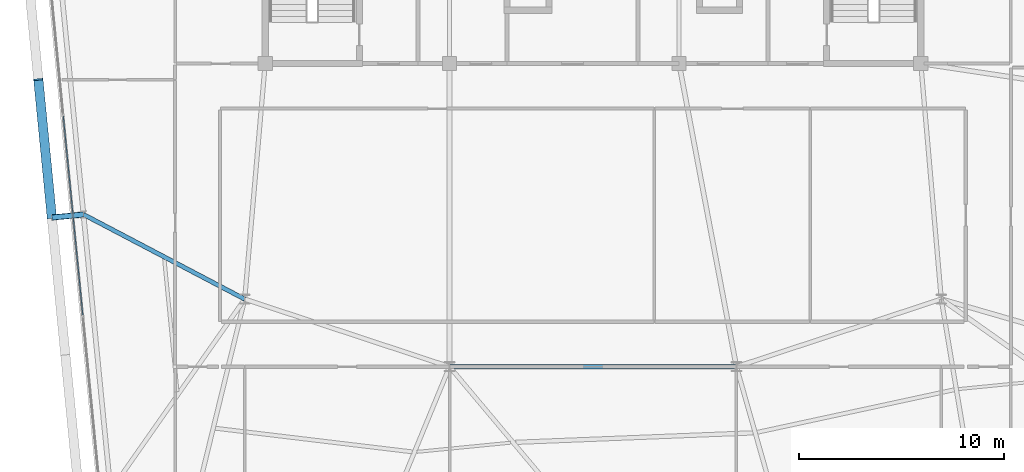
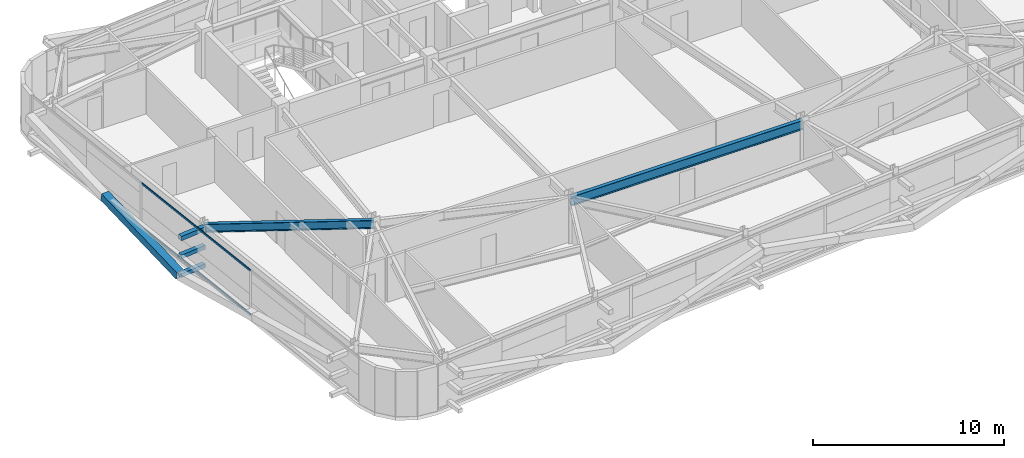
# One storey, part 12 of 47: 6 members, 2 beams, 1 element without a shape of its own.
"""IFC4 building model written with IfcOpenShell, lengths in metres."""

from ifc_helpers import new_model, si_unit, direction, frame, origin, origin_2d, place, context, subcontext, project, spatial, hollow_rectangle, i_section, extrude, source, transform, mapped, material, layer, layer_set, material_profile, profile_set, type_object, element, aggregate, save


model = new_model("IFC4")

# Units and contexts
model_context = context("Model", 3, precision=1e-05, world=origin(), true_north=direction((0.0, 1.0)))
body_context = subcontext(model_context, "Body", "Model", "MODEL_VIEW")
ifc_project = project(units=[si_unit("LENGTHUNIT", "METRE"), si_unit("AREAUNIT", "SQUARE_METRE"), si_unit("VOLUMEUNIT", "CUBIC_METRE"), si_unit("PLANEANGLEUNIT", "RADIAN"), si_unit("MASSUNIT", "GRAM", prefix="KILO")], contexts=[model_context])

# Site, building, storey
site_placement = place(None, origin())
site = spatial("IfcSite", under=ifc_project, at=site_placement, CompositionType="ELEMENT")
building_placement = place(site_placement, origin())
building = spatial("IfcBuilding", under=site, at=building_placement, Name="Taldren Reach Tower", CompositionType="ELEMENT")
storey_placement = place(building_placement, frame((0.0, 0.0, 109.199951171875)))
storey = spatial("IfcBuildingStorey", under=building, at=storey_placement, Name="L33", CompositionType="ELEMENT", Elevation=109.199951171875)

# Beams
ifc_material_1 = material(Name="Steel Gr 350 (350PLUS)", Category="steel")
ifc_material_profile_1 = material_profile(ifc_material_1, i_section(OverallWidth=0.22802734375, OverallDepth=0.60205078125, WebThickness=0.010498046875, FlangeThickness=0.014892578125, at=origin_2d()), Name="610UB101")
ifc_profile_set_1 = profile_set([ifc_material_profile_1], Name="Steel Gr 350 (350PLUS)")
beam_type_1 = type_object("IfcBeamType", Name="BM-UB610B", PredefinedType="BEAM", material=ifc_profile_set_1)
shared_shape_1 = source(origin(), body_context, "Body", "SweptSolid", [
    extrude(i_section(OverallWidth=0.22802734375, OverallDepth=0.60205078125, WebThickness=0.010498046875, FlangeThickness=0.014892578125, at=origin_2d()), origin(), (0.0, 0.0, 1.0), 14.0),
])
beam_1_placement = place(storey_placement, frame((28.0, 9.199951171875, 2.569091796875), z_axis=(1.0, 0.0, 0.0), x_axis=(0.0, 1.0, 0.0)))
element("IfcBeam", 1, at=beam_1_placement, inside=storey, type_object=beam_type_1, Name="Core-spine girder L33-SP11", PredefinedType="BEAM", context=body_context, shape_type="MappedRepresentation", body=[
    mapped(shared_shape_1, transform((0.0, 0.0, 0.0), scale=1.0)),
])
ifc_material_profile_2 = material_profile(ifc_material_1, i_section(OverallWidth=0.208984375, OverallDepth=0.532958984375, WebThickness=0.01025390625, FlangeThickness=0.015625, at=origin_2d()), Name="530UB92.4")
ifc_profile_set_2 = profile_set([ifc_material_profile_2], Name="Steel Gr 350 (350PLUS)")
beam_type_2 = type_object("IfcBeamType", Name="BM-UB530A", PredefinedType="BEAM", material=ifc_profile_set_2)
shared_shape_2 = source(origin(), body_context, "Body", "SweptSolid", [
    extrude(i_section(OverallWidth=0.208984375, OverallDepth=0.532958984375, WebThickness=0.01025390625, FlangeThickness=0.015625, at=origin_2d()), origin(), (0.0, 0.0, 1.0), 8.8876953125),
])
beam_2_placement = place(storey_placement, frame((18.0, 12.5, 2.603515625), z_axis=(-0.885412881876, 0.464805366371, 0.0), x_axis=(-0.464805366371, -0.885412881876, 0.0)))
element("IfcBeam", 2, at=beam_2_placement, inside=storey, type_object=beam_type_2, Name="Primary floor girder B2-W2 L33", PredefinedType="BEAM", context=body_context, shape_type="MappedRepresentation", body=[
    mapped(shared_shape_2, transform((0.0, 0.0, 0.0), scale=1.0)),
])

# Members
ifc_material_2 = material(Name="Steel Gr 450 (C450L0)", Category="steel")
ifc_material_profile_3 = material_profile(ifc_material_2, hollow_rectangle(XDim=0.27490234375, YDim=0.27490234375, WallThickness=0.00927734375, at=origin_2d()), Name="275x275x9.3SHS")
ifc_profile_set_3 = profile_set([ifc_material_profile_3], Name="Steel Gr 450 (C450L0)")
member_type_1 = type_object("IfcMemberType", Name="MB-TIE273", PredefinedType="STRUT", material=ifc_profile_set_3)
shared_shape_3 = source(origin(), body_context, "Body", "SweptSolid", [
    extrude(hollow_rectangle(XDim=0.27490234375, YDim=0.27490234375, WallThickness=0.00927734375, at=origin_2d()), origin(), (0.0, 0.0, 1.0), 1.550048828125),
])
member_1_placement = place(storey_placement, frame((10.130615234375, 16.631103515625, 2.590087890625), z_axis=(-0.9952210252, -0.097647892962, 0.0), x_axis=(0.097647892962, -0.9952210252, 0.0)))
element("IfcMember", 3, at=member_1_placement, inside=storey, type_object=member_type_1, Name="Exoskeleton diaphragm tie strut B2-W2 L33", PredefinedType="STRUT", context=body_context, shape_type="MappedRepresentation", body=[
    mapped(shared_shape_3, transform((0.0, 0.0, 0.0), scale=1.0)),
])
ifc_material_3 = material(Name="Steel Gr 350 (C350L0)", Category="steel")
ifc_material_profile_4 = material_profile(ifc_material_3, hollow_rectangle(XDim=0.25, YDim=0.25, WallThickness=0.010009765625, at=origin_2d()), Name="250x250x10.0SHS")
ifc_profile_set_4 = profile_set([ifc_material_profile_4], Name="Steel Gr 350 (C350L0)")
member_type_2 = type_object("IfcMemberType", Name="MB-POST250", PredefinedType="POST", material=ifc_profile_set_4)
shared_shape_4 = source(origin(), body_context, "Body", "SweptSolid", [
    extrude(hollow_rectangle(XDim=0.25, YDim=0.25, WallThickness=0.010009765625, at=origin_2d()), origin(), (0.0, 0.0, 1.0), 1.550048828125),
])
for number, where, z_axis, x_axis, name in (
    (4, (10.130615234375, 16.631103515625, 0.219970703125), (-0.9952210252, -0.097647892962, 0.0), (0.097647892962, -0.9952210252, 0.0), "Exoskeleton base diaphragm tie strut B2-W2 L33"),
    (5, (10.130615234375, 16.631103515625, 1.405029296875), (-0.9952210252, -0.097647892962, 0.0), (0.097647892962, -0.9952210252, 0.0), "Exoskeleton mid-tier diaphragm tie B2-W2 L33"),
):
    element("IfcMember", number, at=place(storey_placement, frame(where, z_axis=z_axis, x_axis=x_axis)), inside=storey, type_object=member_type_2, Name=name, PredefinedType="POST", context=body_context, shape_type="MappedRepresentation", body=[
        mapped(shared_shape_4, transform((0.0, 0.0, 0.0), scale=1.0)),
    ])
ifc_material_profile_5 = material_profile(ifc_material_2, hollow_rectangle(XDim=0.4599609375, YDim=0.4599609375, WallThickness=0.01611328125, at=origin_2d()), Name="460x460x16.0SHS")
ifc_profile_set_5 = profile_set([ifc_material_profile_5], Name="Steel Gr 450 (C450L0)")
member_type_3 = type_object("IfcMemberType", Name="MB-EXO457", PredefinedType="BRACE", material=ifc_profile_set_5)
shared_shape_5 = source(origin(), body_context, "Body", "SweptSolid", [
    extrude(hollow_rectangle(XDim=0.4599609375, YDim=0.4599609375, WallThickness=0.01611328125, at=origin_2d()), origin(), (0.0, 0.0, 1.0), 6.8779296875),
])
member_2_placement = place(storey_placement, frame((8.587890625, 16.479736328125, 0.219970703125), z_axis=(-0.096124602974, 0.980343162824, 0.172300156143), x_axis=(-0.995227290009, -0.097584021339, 0.0)))
element("IfcMember", 6, at=member_2_placement, inside=storey, type_object=member_type_3, Name="Exoskeleton Diagrid Brace B2-W2 L33", PredefinedType="BRACE", context=body_context, shape_type="MappedRepresentation", body=[
    mapped(shared_shape_5, transform((0.0, 0.0, 0.0), scale=1.0)),
])

# Curtain wall, members
ifc_material_4 = material(Name="Aluminium and Low-E Glass Unitised System", Category="aluminium")
ifc_layer = layer(ifc_material_4, 0.159912109375)
ifc_layer_set = layer_set([ifc_layer], Name="Aluminium and Low-E Glass Unitised System")
curtain_wall_type = type_object("IfcCurtainWallType", Name="CW-SYS-3", PredefinedType="NOTDEFINED", material=ifc_layer_set)
curtain_wall_placement = place(storey_placement, origin())
curtain_wall = element("IfcCurtainWall", 7, at=curtain_wall_placement, inside=storey, type_object=curtain_wall_type, Name="Unitised curtain wall CW-L33-W", PredefinedType="NOTDEFINED")
ifc_material_5 = material(Name="Anodised Aluminium 6063-T6", Category="aluminium")
ifc_material_profile_6 = material_profile(ifc_material_5, hollow_rectangle(XDim=0.054931640625, YDim=0.1201171875, WallThickness=0.0029296875, at=origin_2d()), Name="ALU-120x55x3RHS")
ifc_profile_set_6 = profile_set([ifc_material_profile_6], Name="Anodised Aluminium 6063-T6")
member_type_4 = type_object("IfcMemberType", Name="CW-TRN-135", PredefinedType="USERDEFINED", material=ifc_profile_set_6)
shared_shape_6 = source(origin(), body_context, "Body", "SweptSolid", [
    extrude(hollow_rectangle(XDim=0.054931640625, YDim=0.1201171875, WallThickness=0.0029296875, at=origin_2d()), origin(), (0.0, 0.0, 1.0), 9.768310546875),
])
member_3_placement = place(storey_placement, frame((9.146240234375, 21.442138671875, 0.027587890625), z_axis=(0.097598120756, -0.995225907432, 0.0), x_axis=(0.995225907432, 0.097598120756, 0.0)))
member_3 = element("IfcMember", 8, at=member_3_placement, type_object=member_type_4, Name="CW-3 transom 2.1", ObjectType="TRANSOM", PredefinedType="USERDEFINED", context=body_context, shape_type="MappedRepresentation", body=[
    mapped(shared_shape_6, transform((0.0, 0.0, 0.0), scale=1.0)),
])
member_4_placement = place(storey_placement, frame((9.146240234375, 21.442138671875, 2.842529296875), z_axis=(0.097598120756, -0.995225907432, 0.0), x_axis=(0.995225907432, 0.097598120756, 0.0)))
member_4 = element("IfcMember", 9, at=member_4_placement, type_object=member_type_4, Name="CW-3 transom 2.2", ObjectType="TRANSOM", PredefinedType="USERDEFINED", context=body_context, shape_type="MappedRepresentation", body=[
    mapped(shared_shape_6, transform((0.0, 0.0, 0.0), scale=1.0)),
])
aggregate(curtain_wall, [member_3, member_4])

save(model, "model.ifc")
